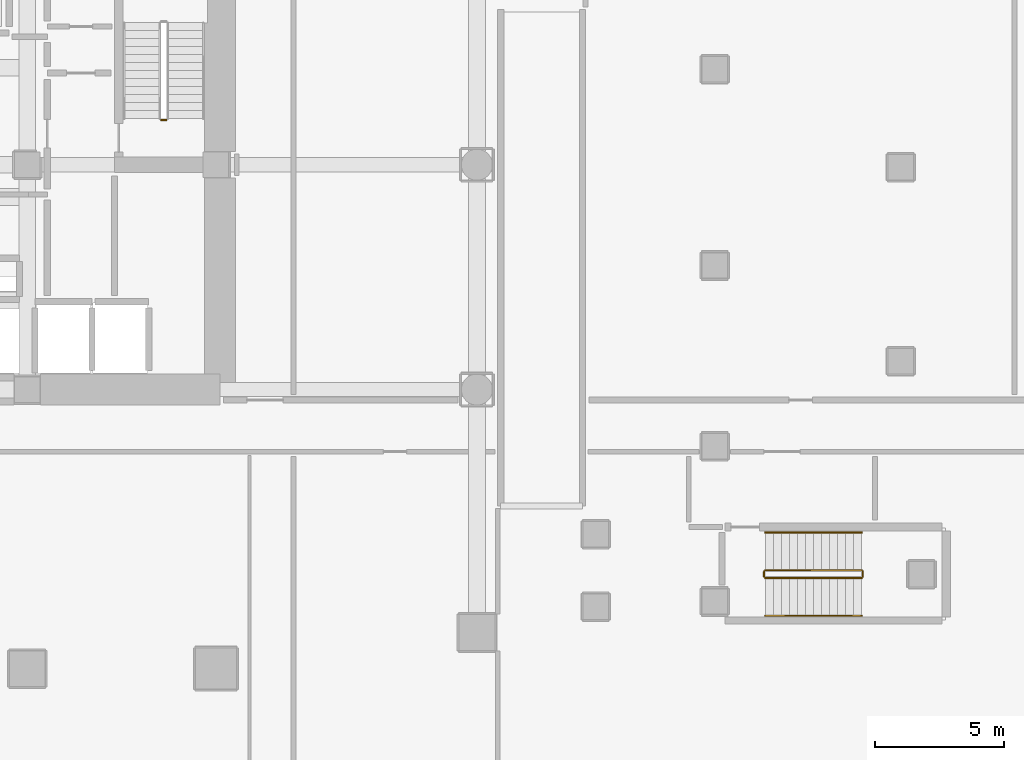
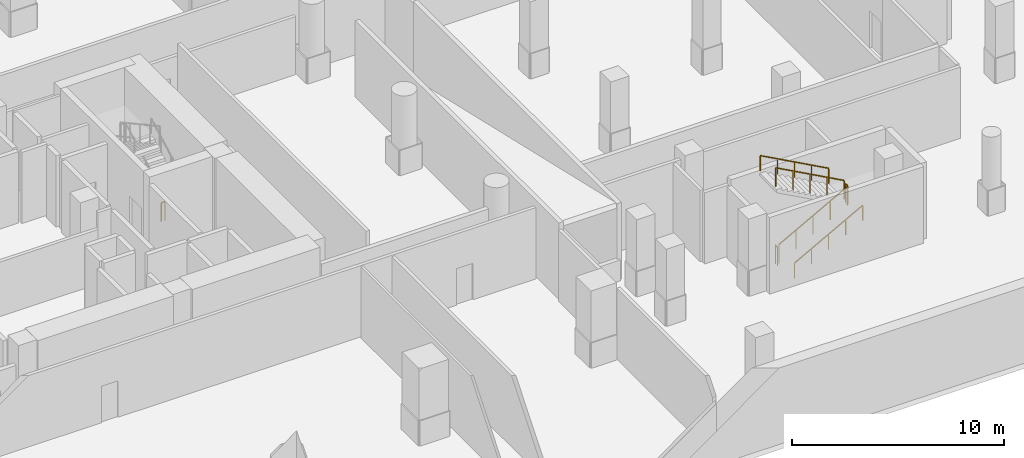
# One storey, part 12 of 15: 7 railings.
"""IFC4 building model written with IfcOpenShell, lengths in metres."""

from ifc_helpers import new_model, si_unit, direction, frame, origin, origin_2d, place, context, subcontext, project, spatial, rectangle, extrude, material, type_object, element, save


model = new_model("IFC4")

# Units and contexts
model_context = context("Model", 3, precision=1e-05, world=origin(), true_north=direction((0.0, 1.0)))
body_context = subcontext(model_context, "Body", "Model", "MODEL_VIEW")
ifc_project = project(units=[si_unit("LENGTHUNIT", "METRE"), si_unit("AREAUNIT", "SQUARE_METRE"), si_unit("VOLUMEUNIT", "CUBIC_METRE"), si_unit("PLANEANGLEUNIT", "RADIAN"), si_unit("MASSUNIT", "GRAM", prefix="KILO")], contexts=[model_context])

# Site, building, storey
site_placement = place(None, origin())
site = spatial("IfcSite", under=ifc_project, at=site_placement, CompositionType="ELEMENT")
building_placement = place(site_placement, origin())
building = spatial("IfcBuilding", under=site, at=building_placement, Name="Solanera Arch Residences", CompositionType="ELEMENT")
storey_placement = place(building_placement, frame((0.0, 0.0, -8.800048828125)))
storey = spatial("IfcBuildingStorey", under=building, at=storey_placement, Name="B02", CompositionType="ELEMENT", Elevation=-8.800048828125)

# Railings
ifc_material_1 = material(Name="Steel S355 (ASTM A992 / A572 Grade 50)", Category="steel")
railing_type_1 = type_object("IfcRailingType", Name="Stair Guardrail GR-1100", PredefinedType="GUARDRAIL", material=ifc_material_1)
railing_1_placement = place(storey_placement, frame((34.580078125, 32.429931640625, -0.014892578125)))
element("IfcRailing", 1, at=railing_1_placement, inside=storey, type_object=railing_type_1, Name="B02 ST-T2 stair guard 4", PredefinedType="GUARDRAIL", context=body_context, shape_type="SweptSolid", body=[
    extrude(rectangle(XDim=0.048095703125, YDim=0.048095703125, at=origin_2d()), frame((0.0, 0.0, 1.076171875), z_axis=(-1.0, 0.0, 0.0), x_axis=(0.0, -1.0, 0.0)), (0.0, 0.0, 1.0), 0.2001953125),
    extrude(rectangle(XDim=0.0419921875, YDim=0.0419921875, at=origin_2d()), origin(), (0.0, 0.0, 1.0), 1.052001953125),
    extrude(rectangle(XDim=0.0419921875, YDim=0.0419921875, at=origin_2d()), frame((-0.2001953125, 0.0, 0.0)), (0.0, 0.0, 1.0), 1.052001953125),
])
railing_2_placement = place(storey_placement, frame((57.760009765625, 14.7099609375, 0.154296875)))
element("IfcRailing", 2, at=railing_2_placement, inside=storey, type_object=railing_type_1, Name="B02 ST-H1 stair guard 1", PredefinedType="GUARDRAIL", context=body_context, shape_type="SweptSolid", body=[
    extrude(rectangle(XDim=0.048095703125, YDim=0.048095703125, at=origin_2d()), frame((0.0, 0.0, 1.076171875), z_axis=(0.877728207833, 0.0, 0.479158839191), x_axis=(0.0, 1.0, 0.0)), (0.0, 0.0, 1.0), 4.23828125),
    extrude(rectangle(XDim=0.0419921875, YDim=0.0419921875, at=origin_2d()), origin(), (0.0, 0.0, 1.0), 1.052001953125),
    extrude(rectangle(XDim=0.0419921875, YDim=0.0419921875, at=origin_2d()), frame((0.929931640625, 0.0, 0.5078125)), (0.0, 0.0, 1.0), 1.052001953125),
    extrude(rectangle(XDim=0.0419921875, YDim=0.0419921875, at=origin_2d()), frame((1.85986328125, 0.0, 1.015380859375)), (0.0, 0.0, 1.0), 1.052001953125),
    extrude(rectangle(XDim=0.0419921875, YDim=0.0419921875, at=origin_2d()), frame((2.7900390625, 0.0, 1.52294921875)), (0.0, 0.0, 1.0), 1.052001953125),
    extrude(rectangle(XDim=0.0419921875, YDim=0.0419921875, at=origin_2d()), frame((3.719970703125, 0.0, 2.03076171875)), (0.0, 0.0, 1.0), 1.052001953125),
])
railing_3_placement = place(storey_placement, frame((61.530029296875, 14.760009765625, 2.18505859375)))
element("IfcRailing", 3, at=railing_3_placement, inside=storey, type_object=railing_type_1, Name="B02 ST-H1 stair guard 2", PredefinedType="GUARDRAIL", context=body_context, shape_type="SweptSolid", body=[
    extrude(rectangle(XDim=0.048095703125, YDim=0.048095703125, at=origin_2d()), frame((0.0, 0.0, 1.076171875), z_axis=(0.0, 1.0, 0.0), x_axis=(-1.0, 0.0, 0.0)), (0.0, 0.0, 1.0), 0.199951171875),
    extrude(rectangle(XDim=0.0419921875, YDim=0.0419921875, at=origin_2d()), origin(), (0.0, 0.0, 1.0), 1.052001953125),
    extrude(rectangle(XDim=0.0419921875, YDim=0.0419921875, at=origin_2d()), frame((0.0, 0.199951171875, 0.0)), (0.0, 0.0, 1.0), 1.052001953125),
])
railing_4_placement = place(storey_placement, frame((61.47998046875, 15.010009765625, 2.354248046875)))
element("IfcRailing", 4, at=railing_4_placement, inside=storey, type_object=railing_type_1, Name="B02 ST-H1 stair guard 3", PredefinedType="GUARDRAIL", context=body_context, shape_type="SweptSolid", body=[
    extrude(rectangle(XDim=0.048095703125, YDim=0.048095703125, at=origin_2d()), frame((0.0, 0.0, 1.076171875), z_axis=(-0.877728207833, 0.0, 0.479158839191), x_axis=(0.0, -1.0, 0.0)), (0.0, 0.0, 1.0), 4.23828125),
    extrude(rectangle(XDim=0.0419921875, YDim=0.0419921875, at=origin_2d()), origin(), (0.0, 0.0, 1.0), 1.052001953125),
    extrude(rectangle(XDim=0.0419921875, YDim=0.0419921875, at=origin_2d()), frame((-0.929931640625, 0.0, 0.5078125)), (0.0, 0.0, 1.0), 1.052001953125),
    extrude(rectangle(XDim=0.0419921875, YDim=0.0419921875, at=origin_2d()), frame((-1.85986328125, 0.0, 1.015380859375)), (0.0, 0.0, 1.0), 1.052001953125),
    extrude(rectangle(XDim=0.0419921875, YDim=0.0419921875, at=origin_2d()), frame((-2.7900390625, 0.0, 1.52294921875)), (0.0, 0.0, 1.0), 1.052001953125),
    extrude(rectangle(XDim=0.0419921875, YDim=0.0419921875, at=origin_2d()), frame((-3.719970703125, 0.0, 2.03076171875)), (0.0, 0.0, 1.0), 1.052001953125),
])
railing_5_placement = place(storey_placement, frame((57.7099609375, 14.760009765625, -0.014892578125)))
element("IfcRailing", 5, at=railing_5_placement, inside=storey, type_object=railing_type_1, Name="B02 ST-H1 stair guard 4", PredefinedType="GUARDRAIL", context=body_context, shape_type="SweptSolid", body=[
    extrude(rectangle(XDim=0.048095703125, YDim=0.048095703125, at=origin_2d()), frame((0.0, 0.0, 1.076171875), z_axis=(0.0, 1.0, 0.0), x_axis=(-1.0, 0.0, 0.0)), (0.0, 0.0, 1.0), 0.199951171875),
    extrude(rectangle(XDim=0.0419921875, YDim=0.0419921875, at=origin_2d()), origin(), (0.0, 0.0, 1.0), 1.052001953125),
    extrude(rectangle(XDim=0.0419921875, YDim=0.0419921875, at=origin_2d()), frame((0.0, 0.199951171875, 0.0)), (0.0, 0.0, 1.0), 1.052001953125),
])
ifc_material_2 = material(Name="Steel S355 (ASTM A992 / A572 Grade 50)", Category="steel")
railing_type_2 = type_object("IfcRailingType", Name="Stair Wall Handrail HR-920", PredefinedType="HANDRAIL", material=ifc_material_2)
railing_6_placement = place(storey_placement, frame((57.760009765625, 13.25, 0.169189453125)))
element("IfcRailing", 6, at=railing_6_placement, inside=storey, type_object=railing_type_2, Name="B02 ST-H1 stair handrail 1", PredefinedType="HANDRAIL", context=body_context, shape_type="SweptSolid", body=[
    extrude(rectangle(XDim=0.048095703125, YDim=0.048095703125, at=origin_2d()), frame((0.0, 0.0, 0.8759765625), z_axis=(0.877728207833, 0.0, 0.479158839191), x_axis=(0.0, 1.0, 0.0)), (0.0, 0.0, 1.0), 4.23828125),
    extrude(rectangle(XDim=0.0419921875, YDim=0.0419921875, at=origin_2d()), origin(), (0.0, 0.0, 1.0), 0.851806640625),
    extrude(rectangle(XDim=0.0419921875, YDim=0.0419921875, at=origin_2d()), frame((0.929931640625, 0.0, 0.5078125)), (0.0, 0.0, 1.0), 0.851806640625),
    extrude(rectangle(XDim=0.0419921875, YDim=0.0419921875, at=origin_2d()), frame((1.85986328125, 0.0, 1.015380859375)), (0.0, 0.0, 1.0), 0.851806640625),
    extrude(rectangle(XDim=0.0419921875, YDim=0.0419921875, at=origin_2d()), frame((2.7900390625, 0.0, 1.52294921875)), (0.0, 0.0, 1.0), 0.851806640625),
    extrude(rectangle(XDim=0.0419921875, YDim=0.0419921875, at=origin_2d()), frame((3.719970703125, 0.0, 2.03076171875)), (0.0, 0.0, 1.0), 0.851806640625),
])
railing_7_placement = place(storey_placement, frame((61.47998046875, 16.469970703125, 2.369384765625)))
element("IfcRailing", 7, at=railing_7_placement, inside=storey, type_object=railing_type_2, Name="B02 ST-H1 stair handrail 2", PredefinedType="HANDRAIL", context=body_context, shape_type="SweptSolid", body=[
    extrude(rectangle(XDim=0.048095703125, YDim=0.048095703125, at=origin_2d()), frame((0.0, 0.0, 0.8759765625), z_axis=(-0.877728207833, 0.0, 0.479158839191), x_axis=(0.0, -1.0, 0.0)), (0.0, 0.0, 1.0), 4.23828125),
    extrude(rectangle(XDim=0.0419921875, YDim=0.0419921875, at=origin_2d()), origin(), (0.0, 0.0, 1.0), 0.851806640625),
    extrude(rectangle(XDim=0.0419921875, YDim=0.0419921875, at=origin_2d()), frame((-0.929931640625, 0.0, 0.5078125)), (0.0, 0.0, 1.0), 0.851806640625),
    extrude(rectangle(XDim=0.0419921875, YDim=0.0419921875, at=origin_2d()), frame((-1.85986328125, 0.0, 1.015380859375)), (0.0, 0.0, 1.0), 0.851806640625),
    extrude(rectangle(XDim=0.0419921875, YDim=0.0419921875, at=origin_2d()), frame((-2.7900390625, 0.0, 1.52294921875)), (0.0, 0.0, 1.0), 0.851806640625),
    extrude(rectangle(XDim=0.0419921875, YDim=0.0419921875, at=origin_2d()), frame((-3.719970703125, 0.0, 2.03076171875)), (0.0, 0.0, 1.0), 0.851806640625),
])

save(model, "model.ifc")
